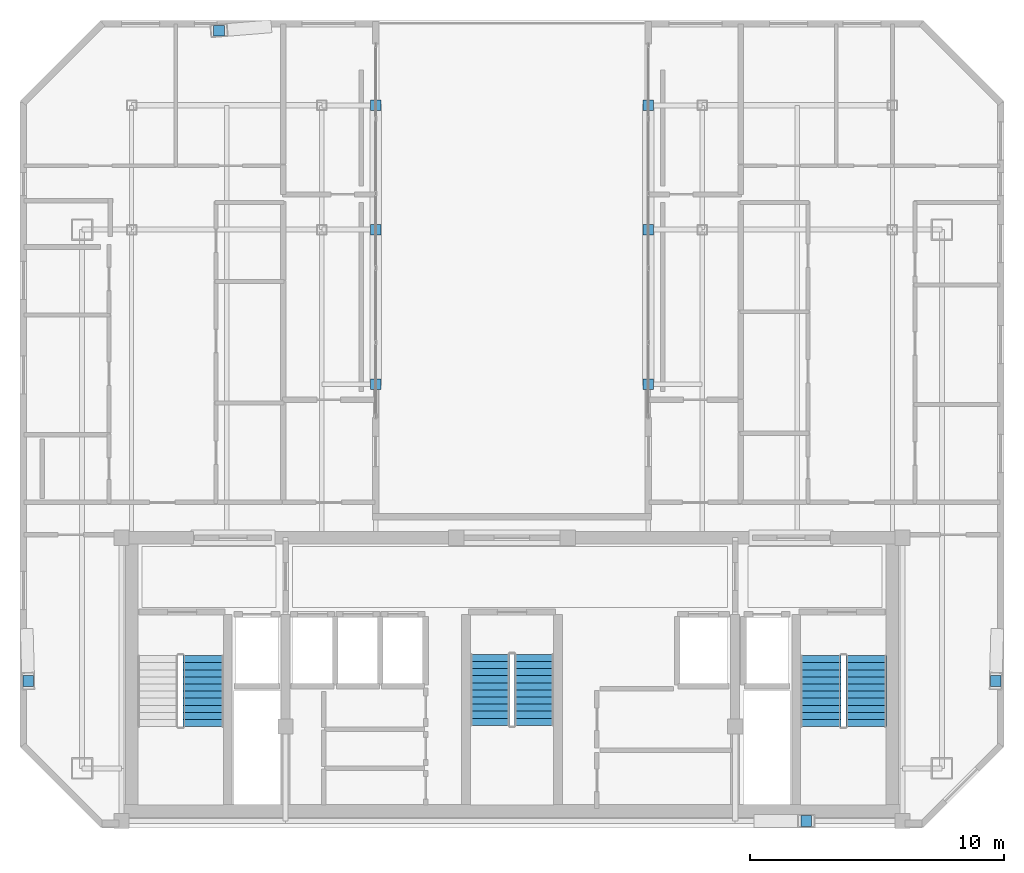
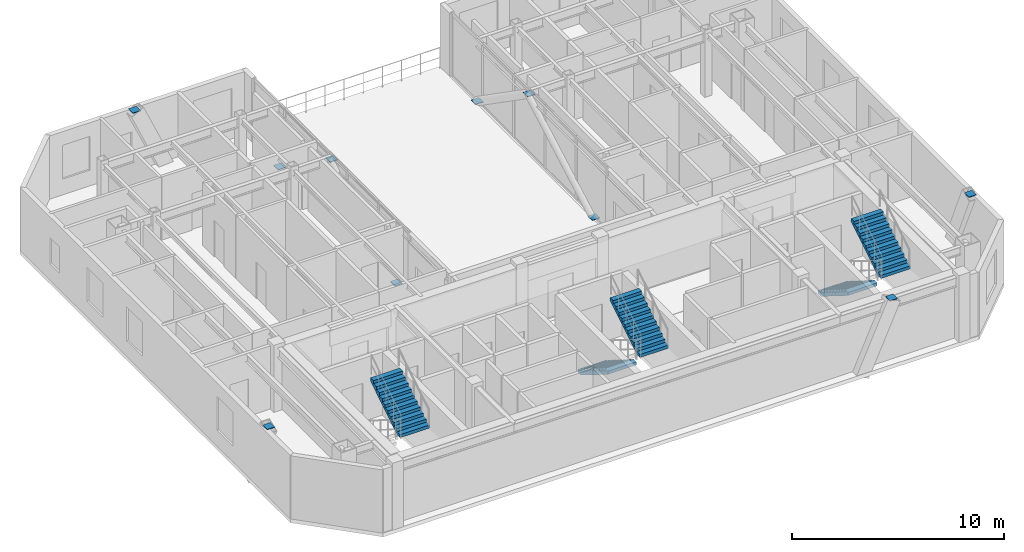
# One storey, part 13 of 14: 10 discrete accessories, 5 stair flights, 3 elements without a shape of their own.
"""IFC4 building model written with IfcOpenShell, lengths in metres."""

from ifc_helpers import new_model, si_unit, direction, frame, origin, origin_2d, place, context, subcontext, project, spatial, polyline, rectangle, outline, extrude, material, type_object, element, aggregate, save


model = new_model("IFC4")

# Units and contexts
model_context = context("Model", 3, precision=1e-05, world=origin(), true_north=direction((0.0, 1.0)))
body_context = subcontext(model_context, "Body", "Model", "MODEL_VIEW")
ifc_project = project(units=[si_unit("LENGTHUNIT", "METRE"), si_unit("AREAUNIT", "SQUARE_METRE"), si_unit("VOLUMEUNIT", "CUBIC_METRE"), si_unit("PLANEANGLEUNIT", "RADIAN"), si_unit("MASSUNIT", "GRAM", prefix="KILO")], contexts=[model_context])

# Site, building, storey
site_placement = place(None, origin())
site = spatial("IfcSite", under=ifc_project, at=site_placement, CompositionType="ELEMENT")
building_placement = place(site_placement, origin())
building = spatial("IfcBuilding", under=site, at=building_placement, Name="Ventersveld Concourse Tower", CompositionType="ELEMENT")
storey_placement = place(building_placement, frame((0.0, 0.0, 337.5)))
storey = spatial("IfcBuildingStorey", under=building, at=storey_placement, Name="L83", CompositionType="ELEMENT", Elevation=337.5)

# Stair, stair flights
ifc_material_1 = material(Name="Concrete C50/60", Category="concrete")
stair_type_1 = type_object("IfcStairType", Name="ST-DOG-155", PredefinedType="HALF_TURN_STAIR", material=ifc_material_1)
stair_1_placement = place(storey_placement, origin())
stair_1 = element("IfcStair", 1, at=stair_1_placement, inside=storey, type_object=stair_type_1, Name="L83 Protected Central Core Escape Stair ST-03", PredefinedType="HALF_TURN_STAIR")
stair_flight_type_1 = type_object("IfcStairFlightType", Name="STF-RC-155", PredefinedType="STRAIGHT", material=ifc_material_1)
stair_flight_1_placement = place(storey_placement, frame((27.875, 6.85009765625, 0.0), z_axis=(0.0, 0.0, 1.0), x_axis=(0.0, -1.0, 0.0)))
stair_flight_1 = element("IfcStairFlight", 2, at=stair_flight_1_placement, type_object=stair_flight_type_1, Name="ST-03 flight 1", NumberOfRisers=11, NumberOfTreads=10, PredefinedType="STRAIGHT", RiserHeight=0.175, TreadLength=0.28, context=body_context, shape_type="SweptSolid", body=[
    extrude(outline(polyline([(0.0, 0.0), (0.0, 0.175048828125), (0.280029296875, 0.175048828125), (0.280029296875, 0.35009765625), (0.56005859375, 0.35009765625), (0.56005859375, 0.52490234375), (0.840087890625, 0.52490234375), (0.840087890625, 0.699951171875), (1.1201171875, 0.699951171875), (1.1201171875, 0.875), (1.39990234375, 0.875), (1.39990234375, 1.050048828125), (1.679931640625, 1.050048828125), (1.679931640625, 1.22509765625), (1.9599609375, 1.22509765625), (1.9599609375, 1.39990234375), (2.239990234375, 1.39990234375), (2.239990234375, 1.574951171875), (2.52001953125, 1.574951171875), (2.52001953125, 1.75), (2.800048828125, 1.75), (2.800048828125, 1.925048828125), (2.800048828125, 1.5732421875), (0.28271484375, 0.0), (0.0, 0.0)])), frame((0.0, 0.77490234375, 0.0), z_axis=(0.0, -1.0, 0.0), x_axis=(1.0, 0.0, 0.0)), (0.0, 0.0, 1.0), 1.550048828125),
])
stair_flight_2_placement = place(storey_placement, frame((29.625, 4.050048828125, 1.925048828125), z_axis=(0.0, 0.0, 1.0), x_axis=(0.0, 1.0, 0.0)))
stair_flight_2 = element("IfcStairFlight", 3, at=stair_flight_2_placement, type_object=stair_flight_type_1, Name="ST-03 flight 2", NumberOfRisers=11, NumberOfTreads=10, PredefinedType="STRAIGHT", RiserHeight=0.175, TreadLength=0.28, context=body_context, shape_type="SweptSolid", body=[
    extrude(outline(polyline([(0.0, 0.0), (0.0, 0.175048828125), (0.280029296875, 0.175048828125), (0.280029296875, 0.35009765625), (0.56005859375, 0.35009765625), (0.56005859375, 0.52490234375), (0.840087890625, 0.52490234375), (0.840087890625, 0.699951171875), (1.1201171875, 0.699951171875), (1.1201171875, 0.875), (1.39990234375, 0.875), (1.39990234375, 1.050048828125), (1.679931640625, 1.050048828125), (1.679931640625, 1.22509765625), (1.9599609375, 1.22509765625), (1.9599609375, 1.39990234375), (2.239990234375, 1.39990234375), (2.239990234375, 1.574951171875), (2.52001953125, 1.574951171875), (2.52001953125, 1.75), (2.800048828125, 1.75), (2.800048828125, 1.925048828125), (2.800048828125, 1.5732421875), (0.28271484375, 0.0), (0.0, 0.0)])), frame((0.0, 0.77490234375, 0.0), z_axis=(0.0, -1.0, 0.0), x_axis=(1.0, 0.0, 0.0)), (0.0, 0.0, 1.0), 1.550048828125),
])
aggregate(stair_1, [stair_flight_1, stair_flight_2])

# Stair, stair flight
stair_type_2 = type_object("IfcStairType", Name="ST-DOG-160", PredefinedType="HALF_TURN_STAIR", material=ifc_material_1)
stair_2_placement = place(storey_placement, origin())
stair_2 = element("IfcStair", 4, at=stair_2_placement, inside=storey, type_object=stair_type_2, Name="L83 Protected Tower Escape Stair ST-01", PredefinedType="HALF_TURN_STAIR")
stair_flight_type_2 = type_object("IfcStairFlightType", Name="STF-RC-160", PredefinedType="STRAIGHT", material=ifc_material_1)
stair_flight_3_placement = place(storey_placement, frame((16.580078125, 4.0, 1.925048828125), z_axis=(0.0, 0.0, 1.0), x_axis=(0.0, 1.0, 0.0)))
stair_flight_3 = element("IfcStairFlight", 5, at=stair_flight_3_placement, type_object=stair_flight_type_2, Name="ST-01 flight 2", NumberOfRisers=11, NumberOfTreads=10, PredefinedType="STRAIGHT", RiserHeight=0.175, TreadLength=0.28, context=body_context, shape_type="SweptSolid", body=[
    extrude(outline(polyline([(0.0, 0.0), (0.0, 0.175048828125), (0.280029296875, 0.175048828125), (0.280029296875, 0.35009765625), (0.56005859375, 0.35009765625), (0.56005859375, 0.52490234375), (0.840087890625, 0.52490234375), (0.840087890625, 0.699951171875), (1.1201171875, 0.699951171875), (1.1201171875, 0.875), (1.39990234375, 0.875), (1.39990234375, 1.050048828125), (1.679931640625, 1.050048828125), (1.679931640625, 1.22509765625), (1.9599609375, 1.22509765625), (1.9599609375, 1.39990234375), (2.239990234375, 1.39990234375), (2.239990234375, 1.574951171875), (2.52001953125, 1.574951171875), (2.52001953125, 1.75), (2.800048828125, 1.75), (2.800048828125, 1.925048828125), (2.800048828125, 1.5732421875), (0.28271484375, 0.0), (0.0, 0.0)])), frame((0.0, 0.800048828125, 0.0), z_axis=(0.0, -1.0, 0.0), x_axis=(1.0, 0.0, 0.0)), (0.0, 0.0, 1.0), 1.60009765625),
])
aggregate(stair_2, [stair_flight_3])

# Stair, stair flights
stair_3_placement = place(storey_placement, origin())
stair_3 = element("IfcStair", 6, at=stair_3_placement, inside=storey, type_object=stair_type_2, Name="L83 Protected Tower Escape Stair ST-02", PredefinedType="HALF_TURN_STAIR")
stair_flight_4_placement = place(storey_placement, frame((40.919921875, 6.800048828125, 0.0), z_axis=(0.0, 0.0, 1.0), x_axis=(0.0, -1.0, 0.0)))
stair_flight_4 = element("IfcStairFlight", 7, at=stair_flight_4_placement, type_object=stair_flight_type_2, Name="ST-02 flight 1", NumberOfRisers=11, NumberOfTreads=10, PredefinedType="STRAIGHT", RiserHeight=0.175, TreadLength=0.28, context=body_context, shape_type="SweptSolid", body=[
    extrude(outline(polyline([(0.0, 0.0), (0.0, 0.175048828125), (0.280029296875, 0.175048828125), (0.280029296875, 0.35009765625), (0.56005859375, 0.35009765625), (0.56005859375, 0.52490234375), (0.840087890625, 0.52490234375), (0.840087890625, 0.699951171875), (1.1201171875, 0.699951171875), (1.1201171875, 0.875), (1.39990234375, 0.875), (1.39990234375, 1.050048828125), (1.679931640625, 1.050048828125), (1.679931640625, 1.22509765625), (1.9599609375, 1.22509765625), (1.9599609375, 1.39990234375), (2.239990234375, 1.39990234375), (2.239990234375, 1.574951171875), (2.52001953125, 1.574951171875), (2.52001953125, 1.75), (2.800048828125, 1.75), (2.800048828125, 1.925048828125), (2.800048828125, 1.5732421875), (0.28271484375, 0.0), (0.0, 0.0)])), frame((0.0, 0.800048828125, 0.0), z_axis=(0.0, -1.0, 0.0), x_axis=(1.0, 0.0, 0.0)), (0.0, 0.0, 1.0), 1.60009765625),
])
stair_flight_5_placement = place(storey_placement, frame((42.719970703125, 4.0, 1.925048828125), z_axis=(0.0, 0.0, 1.0), x_axis=(0.0, 1.0, 0.0)))
stair_flight_5 = element("IfcStairFlight", 8, at=stair_flight_5_placement, type_object=stair_flight_type_2, Name="ST-02 flight 2", NumberOfRisers=11, NumberOfTreads=10, PredefinedType="STRAIGHT", RiserHeight=0.175, TreadLength=0.28, context=body_context, shape_type="SweptSolid", body=[
    extrude(outline(polyline([(0.0, 0.0), (0.0, 0.175048828125), (0.280029296875, 0.175048828125), (0.280029296875, 0.35009765625), (0.56005859375, 0.35009765625), (0.56005859375, 0.52490234375), (0.840087890625, 0.52490234375), (0.840087890625, 0.699951171875), (1.1201171875, 0.699951171875), (1.1201171875, 0.875), (1.39990234375, 0.875), (1.39990234375, 1.050048828125), (1.679931640625, 1.050048828125), (1.679931640625, 1.22509765625), (1.9599609375, 1.22509765625), (1.9599609375, 1.39990234375), (2.239990234375, 1.39990234375), (2.239990234375, 1.574951171875), (2.52001953125, 1.574951171875), (2.52001953125, 1.75), (2.800048828125, 1.75), (2.800048828125, 1.925048828125), (2.800048828125, 1.5732421875), (0.28271484375, 0.0), (0.0, 0.0)])), frame((0.0, 0.800048828125, 0.0), z_axis=(0.0, -1.0, 0.0), x_axis=(1.0, 0.0, 0.0)), (0.0, 0.0, 1.0), 1.60009765625),
])
aggregate(stair_3, [stair_flight_4, stair_flight_5])

# Discrete accessories
ifc_material_2 = material(Name="Structural steel S355J2", Category="steel")
discrete_accessory_type = type_object("IfcDiscreteAccessoryType", Name="CONN-BRACE-ECP1", PredefinedType="BRACKET", material=ifc_material_2)
for number, where, z_axis, x_axis, name in (
    (9, (23.3798828125, 17.5, -0.02001953125), (0.0, 0.0, 1.0), (1.0, 0.0, 0.0), "L83 Steel Brace End Connection Plate ECP1-0139"),
    (10, (23.3798828125, 23.60009765625, 3.389892578125), (0.0, 0.0, 1.0), (1.0, 0.0, 0.0), "L83 Steel Brace End Connection Plate ECP1-0140"),
    (11, (23.3798828125, 28.5, -0.02001953125), (0.0, 0.0, 1.0), (1.0, 0.0, 0.0), "L83 Steel Brace End Connection Plate ECP1-0141"),
    (12, (34.1201171875, 17.5, -0.02001953125), (0.0, 0.0, 1.0), (1.0, 0.0, 0.0), "L83 Steel Brace End Connection Plate ECP1-0142"),
    (13, (34.1201171875, 23.60009765625, 3.389892578125), (0.0, 0.0, 1.0), (1.0, 0.0, 0.0), "L83 Steel Brace End Connection Plate ECP1-0143"),
    (14, (34.1201171875, 28.5, -0.02001953125), (0.0, 0.0, 1.0), (1.0, 0.0, 0.0), "L83 Steel Brace End Connection Plate ECP1-0144"),
    (15, (17.19775390625, 31.446044921875, 3.60986328125), (0.0, 0.0, 1.0), (1.0, 0.0, 0.0), "L83 Steel Brace End Connection Plate ECP1-0517"),
    (16, (40.352294921875, 0.280029296875, 3.60986328125), (0.0, 0.0, 1.0), (1.0, 0.0, 0.0), "L83 Steel Brace End Connection Plate ECP1-0521"),
    (17, (9.672607421875, 5.7978515625, 3.60986328125), (0.0, 0.0, 1.0), (1.0, 0.0, 0.0), "L83 Steel Brace End Connection Plate ECP1-0525"),
    (18, (47.827392578125, 5.7978515625, 3.60986328125), (0.0, 0.0, 1.0), (1.0, 0.0, 0.0), "L83 Steel Brace End Connection Plate ECP1-0529"),
):
    element("IfcDiscreteAccessory", number, at=place(storey_placement, frame(where, z_axis=z_axis, x_axis=x_axis)), inside=storey, type_object=discrete_accessory_type, Name=name, PredefinedType="BRACKET", context=body_context, shape_type="SweptSolid", body=[
        extrude(rectangle(XDim=0.419921875, YDim=0.419921875, at=origin_2d()), origin(), (0.0, 0.0, 1.0), 0.0400390625),
    ])

save(model, "model.ifc")
